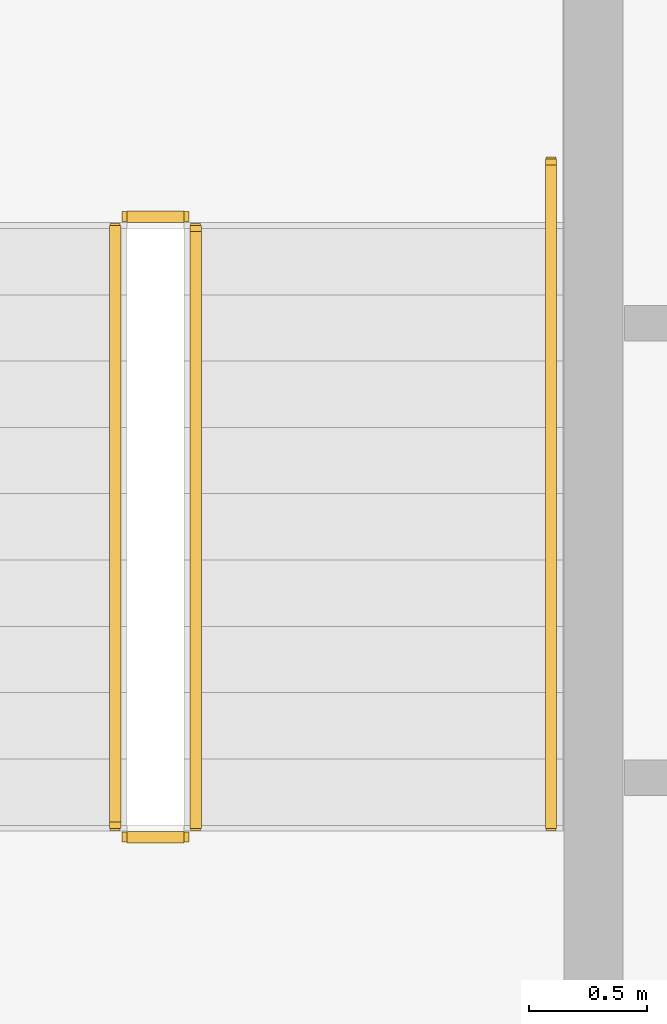
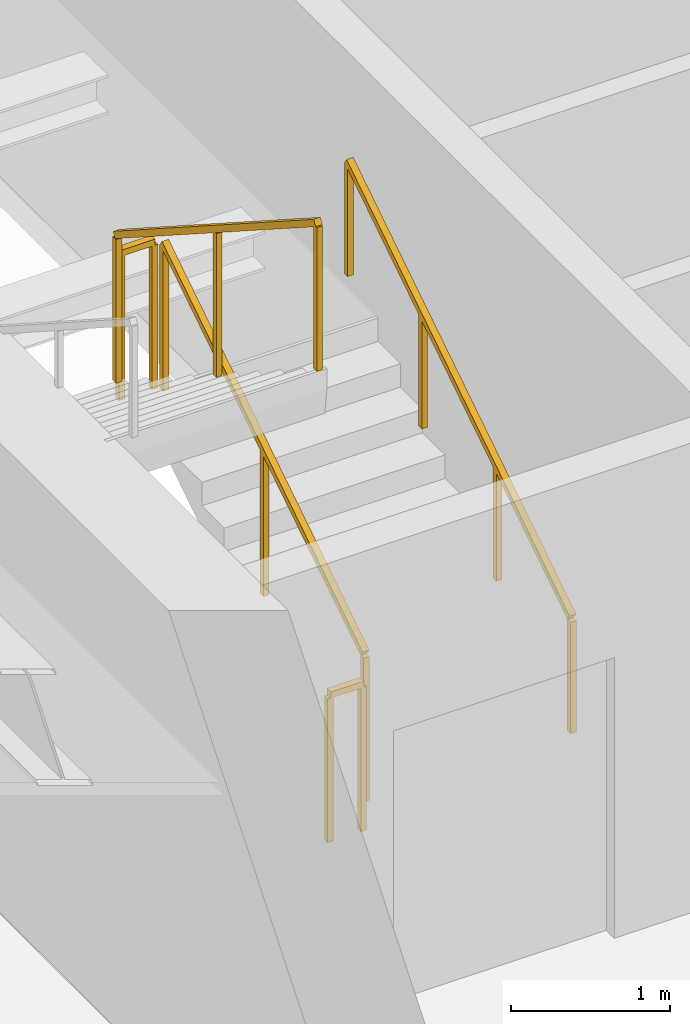
# One storey, part 25 of 28: 5 railings.
"""IFC4 building model written with IfcOpenShell, lengths in metres."""

import ifcopenshell
import ifcopenshell.guid

model = None  # the IFC model being written
_history = None  # IfcOwnerHistory: only IFC2X3 demands one
_inside = {}  # id of a spatial element -> (the spatial element, [elements in it])
_under = {}  # id of a project, library or spatial element -> (it, [spatial elements below it])
_declared = {}  # id of a project -> (the project, [libraries it declares])
_typed = {}  # id of a type object -> (the type object, [elements of that type])
_made_of = {}  # id of a material, layer set ... -> (it, [elements and type objects made of it])


def new_model(schema):
    """Start an empty IFC model of exactly this schema.

    Asked for "IFC4X3", IfcOpenShell would pick the latest addendum, in which some entities
    have other attributes; the version numbers below select the first issue.
    IFC2X3 requires an IfcOwnerHistory on every rooted entity: one is made here for all.
    """
    global model, _history
    if schema == "IFC4X3":
        model = ifcopenshell.file(schema_version=(4, 3, 0, 0))
    else:
        model = ifcopenshell.file(schema=schema)
    _inside.clear()
    _under.clear()
    _declared.clear()
    _typed.clear()
    _made_of.clear()
    _history = None
    if model.schema == "IFC2X3":
        org = make("IfcOrganization", Name="unknown")
        user = make(
            "IfcPersonAndOrganization",
            ThePerson=make("IfcPerson", FamilyName="unknown"),
            TheOrganization=org,
        )
        app = make(
            "IfcApplication",
            ApplicationDeveloper=org,
            Version="unknown",
            ApplicationFullName="unknown",
            ApplicationIdentifier="unknown",
        )
        _history = make(
            "IfcOwnerHistory",
            OwningUser=user,
            OwningApplication=app,
            ChangeAction="ADDED",
            CreationDate=0,
        )
    return model


def make(cls, **values):
    """One entity of the class cls with the attributes given. An attribute that is None is left unset."""
    return model.create_entity(
        cls, **{name: value for name, value in values.items() if value is not None}
    )


def rooted(cls, **values):
    """An entity with a GlobalId (a new one), such as an element, a storey or a relation."""
    return make(cls, GlobalId=ifcopenshell.guid.new(), OwnerHistory=_history, **values)


def si_unit(unit_type, name, prefix=None):
    """IfcSIUnit, for example si_unit("LENGTHUNIT", "METRE", prefix="MILLI")."""
    return make("IfcSIUnit", UnitType=unit_type, Prefix=prefix, Name=name)


def assignment(units):
    """IfcUnitAssignment: the units of a project."""
    return None if units is None else make("IfcUnitAssignment", Units=units)


def point(xyz):
    """IfcCartesianPoint."""
    return None if xyz is None else make("IfcCartesianPoint", Coordinates=xyz)


def direction(xyz):
    """IfcDirection."""
    return None if xyz is None else make("IfcDirection", DirectionRatios=xyz)


def frame(location, z_axis=None, x_axis=None):
    """IfcAxis2Placement3D, a coordinate frame: its origin and axes. An axis left out is left unset."""
    return make(
        "IfcAxis2Placement3D",
        Location=point(location),
        Axis=direction(z_axis),
        RefDirection=direction(x_axis),
    )


def frame_2d(location, x_axis=None):
    """IfcAxis2Placement2D, a coordinate frame in the plane: its origin and x axis."""
    return make(
        "IfcAxis2Placement2D", Location=point(location), RefDirection=direction(x_axis)
    )


def origin():
    """The frame at (0, 0, 0) with its axes left unset."""
    return frame((0.0, 0.0, 0.0))


def origin_2d():
    """The frame at (0, 0) in the plane with its x axis left unset."""
    return frame_2d((0.0, 0.0))


def place(relative_to, where):
    """IfcLocalPlacement: puts the frame where relative to a parent placement (None: the world)."""
    return make(
        "IfcLocalPlacement", PlacementRelTo=relative_to, RelativePlacement=where
    )


def context(
    kind, dimensions, precision=None, world=None, true_north=None, identifier=None
):
    """IfcGeometricRepresentationContext, for example the 3D "Model" context."""
    return make(
        "IfcGeometricRepresentationContext",
        ContextIdentifier=identifier,
        ContextType=kind,
        CoordinateSpaceDimension=dimensions,
        Precision=precision,
        WorldCoordinateSystem=world,
        TrueNorth=true_north,
    )


def subcontext(parent, identifier, kind, view, scale=None):
    """IfcGeometricRepresentationSubContext, for example "Body" below "Model"."""
    return make(
        "IfcGeometricRepresentationSubContext",
        ContextIdentifier=identifier,
        ContextType=kind,
        ParentContext=parent,
        TargetScale=scale,
        TargetView=view,
    )


def project(units=None, contexts=None):
    """IfcProject with its units and contexts."""
    return rooted(
        "IfcProject",
        Name="project",
        RepresentationContexts=contexts,
        UnitsInContext=assignment(units),
    )


def spatial(cls, under=None, at=None, **own):
    """A site, building, storey or space (cls), placed at a placement, below another one or the project."""
    s = rooted(cls, ObjectPlacement=at, **own)
    if under is not None:
        _under.setdefault(under.id(), (under, []))[1].append(s)
    return s


def profile(cls, at=None, kind="AREA", **sizes):
    """A parametric profile (cls). Its sizes go by their IFC names, for example OverallWidth=200.0."""
    return make(cls, ProfileType=kind, Position=at, **sizes)


def rectangle(**sizes):
    """IfcRectangleProfileDef."""
    return profile("IfcRectangleProfileDef", **sizes)


def extrude(swept, where, along, depth):
    """IfcExtrudedAreaSolid: the profile swept, set in the frame where, extruded along a direction by depth."""
    return make(
        "IfcExtrudedAreaSolid",
        SweptArea=swept,
        Position=where,
        ExtrudedDirection=direction(along),
        Depth=depth,
    )


def shape(context_of_items, identifier, shape_type, items):
    """IfcShapeRepresentation: the items that make up one representation, for example the "Body"."""
    return make(
        "IfcShapeRepresentation",
        ContextOfItems=context_of_items,
        RepresentationIdentifier=identifier,
        RepresentationType=shape_type,
        Items=items,
    )


def material(Name=None, Category=None):
    """IfcMaterial."""
    return make("IfcMaterial", Name=Name, Category=Category)


def made_of(thing, what):
    """Note that an element or type object is made of a material, layer set ...; save() writes the relation."""
    if what is not None:
        _made_of.setdefault(what.id(), (what, []))[1].append(thing)
    return thing


def type_object(cls, material=None, **own):
    """A type object (cls), such as IfcWallType, which elements share."""
    return made_of(rooted(cls, **own), material)


def element(
    cls,
    number,
    at=None,
    inside=None,
    cuts=None,
    type_object=None,
    material=None,
    context=None,
    identifier="Body",
    shape_type=None,
    held_by="IfcProductDefinitionShape",
    body=None,
    shapes=None,
    **own,
):
    """One element of the class cls, such as IfcWall. Its Tag is "e" and its number.

    at: its placement. inside: the storey or other place that contains it. cuts: it is an
    opening in that element (IfcRelVoidsElement). A single representation is given by context,
    identifier, shape_type and body (its items); several are given by shapes. held_by: the class
    of the entity that holds the representations. save() writes the other relations.
    """
    e = rooted(cls, Tag="e%d" % number, ObjectPlacement=at, **own)
    if body is not None:
        shapes = [shape(context, identifier, shape_type, body)]
    if shapes is not None:
        e.Representation = make(held_by, Representations=shapes)
    if inside is not None:
        _inside.setdefault(inside.id(), (inside, []))[1].append(e)
    if cuts is not None:
        rooted(
            "IfcRelVoidsElement", RelatingBuildingElement=cuts, RelatedOpeningElement=e
        )
    if type_object is not None:
        _typed.setdefault(type_object.id(), (type_object, []))[1].append(e)
    return made_of(e, material)


def aggregate(whole, parts):
    """IfcRelAggregates: a whole, such as a stair, and the parts it consists of."""
    return rooted("IfcRelAggregates", RelatingObject=whole, RelatedObjects=parts)


def save(model, path):
    """Write the relations noted so far, then the file.

    IfcRelAggregates (storeys below a building ...), IfcRelContainedInSpatialStructure (elements
    in a storey), IfcRelDefinesByType, IfcRelAssociatesMaterial and IfcRelDeclares: one each for
    every whole, place, type object, material and project.
    """
    for whole, parts in _under.values():
        aggregate(whole, parts)
    for where, things in _inside.values():
        rooted(
            "IfcRelContainedInSpatialStructure",
            RelatedElements=things,
            RelatingStructure=where,
        )
    for kind, things in _typed.values():
        rooted("IfcRelDefinesByType", RelatedObjects=things, RelatingType=kind)
    for what, things in _made_of.values():
        rooted("IfcRelAssociatesMaterial", RelatedObjects=things, RelatingMaterial=what)
    for by, libraries in _declared.values():
        rooted("IfcRelDeclares", RelatingContext=by, RelatedDefinitions=libraries)
    model.write(path)


model = new_model("IFC4")

# Units and contexts
model_context = context("Model", 3, precision=1e-05, world=origin(), true_north=direction((0.0, 1.0)))
body_context = subcontext(model_context, "Body", "Model", "MODEL_VIEW")
ifc_project = project(units=[si_unit("LENGTHUNIT", "METRE"), si_unit("AREAUNIT", "SQUARE_METRE"), si_unit("VOLUMEUNIT", "CUBIC_METRE"), si_unit("PLANEANGLEUNIT", "RADIAN"), si_unit("MASSUNIT", "GRAM", prefix="KILO")], contexts=[model_context])

# Site, building, storey
site_placement = place(None, origin())
site = spatial("IfcSite", under=ifc_project, at=site_placement, CompositionType="ELEMENT")
building_placement = place(site_placement, origin())
building = spatial("IfcBuilding", under=site, at=building_placement, Name="Sumidabori Civic Tower", CompositionType="ELEMENT")
storey_placement = place(building_placement, frame((0.0, 0.0, 185.60009765625)))
storey = spatial("IfcBuildingStorey", under=building, at=storey_placement, Name="L48", CompositionType="ELEMENT", Elevation=185.60009765625)

# Railings
ifc_material_1 = material(Name="Stainless Steel Hairline Finish", Category="steel")
railing_type_1 = type_object("IfcRailingType", Name="RL-HANDRAIL", PredefinedType="HANDRAIL", material=ifc_material_1)
railing_1_placement = place(storey_placement, frame((-11.949951171875, 16.0, 0.179931640625)))
element("IfcRailing", 1, at=railing_1_placement, inside=storey, type_object=railing_type_1, Name="L48 ST-1 stair handrail 1", PredefinedType="HANDRAIL", context=body_context, shape_type="SweptSolid", body=[
    extrude(rectangle(XDim=0.048095703125, YDim=0.048095703125, at=origin_2d()), frame((0.0, 0.0, 0.8759765625), z_axis=(0.0, 0.840675598268, 0.541539046124), x_axis=(-1.0, 0.0, 0.0)), (0.0, 0.0, 1.0), 3.330810546875),
    extrude(rectangle(XDim=0.0419921875, YDim=0.0419921875, at=origin_2d()), origin(), (0.0, 0.0, 1.0), 0.851806640625),
    extrude(rectangle(XDim=0.0419921875, YDim=0.0419921875, at=origin_2d()), frame((0.0, 0.933349609375, 0.601318359375)), (0.0, 0.0, 1.0), 0.851806640625),
    extrude(rectangle(XDim=0.0419921875, YDim=0.0419921875, at=origin_2d()), frame((0.0, 1.86669921875, 1.202392578125)), (0.0, 0.0, 1.0), 0.851806640625),
    extrude(rectangle(XDim=0.0419921875, YDim=0.0419921875, at=origin_2d()), frame((0.0, 2.800048828125, 1.8037109375)), (0.0, 0.0, 1.0), 0.851806640625),
])
ifc_material_2 = material(Name="Steel SN490", Category="steel")
railing_type_2 = type_object("IfcRailingType", Name="RL-STAIR-GUARD", PredefinedType="GUARDRAIL", material=ifc_material_2)
railing_2_placement = place(storey_placement, frame((-13.449951171875, 16.0, 0.179931640625)))
element("IfcRailing", 2, at=railing_2_placement, inside=storey, type_object=railing_type_2, Name="L48 ST-1 stair guard 1", PredefinedType="GUARDRAIL", context=body_context, shape_type="SweptSolid", body=[
    extrude(rectangle(XDim=0.048095703125, YDim=0.048095703125, at=origin_2d()), frame((0.0, 0.0, 1.1259765625), z_axis=(0.0, 0.841199657755, 0.540724639528), x_axis=(-1.0, 0.0, 0.0)), (0.0, 0.0, 1.0), 2.995849609375),
    extrude(rectangle(XDim=0.0419921875, YDim=0.0419921875, at=origin_2d()), origin(), (0.0, 0.0, 1.0), 1.101806640625),
    extrude(rectangle(XDim=0.0419921875, YDim=0.0419921875, at=origin_2d()), frame((0.0, 1.260009765625, 0.81005859375)), (0.0, 0.0, 1.0), 1.101806640625),
    extrude(rectangle(XDim=0.0419921875, YDim=0.0419921875, at=origin_2d()), frame((0.0, 2.52001953125, 1.619873046875)), (0.0, 0.0, 1.0), 1.101806640625),
])
railing_3_placement = place(storey_placement, frame((-13.5, 18.570068359375, 1.7998046875)))
element("IfcRailing", 3, at=railing_3_placement, inside=storey, type_object=railing_type_2, Name="L48 ST-1 stair guard 2", PredefinedType="GUARDRAIL", context=body_context, shape_type="SweptSolid", body=[
    extrude(rectangle(XDim=0.048095703125, YDim=0.048095703125, at=origin_2d()), frame((0.0, 0.0, 1.1259765625), z_axis=(-1.0, 0.0, 0.0), x_axis=(0.0, -1.0, 0.0)), (0.0, 0.0, 1.0), 0.239990234375),
    extrude(rectangle(XDim=0.0419921875, YDim=0.0419921875, at=origin_2d()), origin(), (0.0, 0.0, 1.0), 1.101806640625),
    extrude(rectangle(XDim=0.0419921875, YDim=0.0419921875, at=origin_2d()), frame((-0.239990234375, 0.0, 0.0)), (0.0, 0.0, 1.0), 1.101806640625),
])
railing_4_placement = place(storey_placement, frame((-13.7900390625, 18.52001953125, 1.97998046875)))
element("IfcRailing", 4, at=railing_4_placement, inside=storey, type_object=railing_type_2, Name="L48 ST-1 stair guard 3", PredefinedType="GUARDRAIL", context=body_context, shape_type="SweptSolid", body=[
    extrude(rectangle(XDim=0.048095703125, YDim=0.048095703125, at=origin_2d()), frame((0.0, 0.0, 1.1259765625), z_axis=(0.0, -0.841199657755, 0.540724639528), x_axis=(1.0, 0.0, 0.0)), (0.0, 0.0, 1.0), 2.995849609375),
    extrude(rectangle(XDim=0.0419921875, YDim=0.0419921875, at=origin_2d()), origin(), (0.0, 0.0, 1.0), 1.101806640625),
    extrude(rectangle(XDim=0.0419921875, YDim=0.0419921875, at=origin_2d()), frame((0.0, -1.260009765625, 0.81005859375)), (0.0, 0.0, 1.0), 1.101806640625),
    extrude(rectangle(XDim=0.0419921875, YDim=0.0419921875, at=origin_2d()), frame((0.0, -2.52001953125, 1.619873046875)), (0.0, 0.0, 1.0), 1.101806640625),
])
railing_5_placement = place(storey_placement, frame((-13.5, 15.949951171875, 0.0)))
element("IfcRailing", 5, at=railing_5_placement, inside=storey, type_object=railing_type_2, Name="L48 ST-1 stair guard 4", PredefinedType="GUARDRAIL", context=body_context, shape_type="SweptSolid", body=[
    extrude(rectangle(XDim=0.048095703125, YDim=0.048095703125, at=origin_2d()), frame((0.0, 0.0, 1.1259765625), z_axis=(-1.0, 0.0, 0.0), x_axis=(0.0, -1.0, 0.0)), (0.0, 0.0, 1.0), 0.239990234375),
    extrude(rectangle(XDim=0.0419921875, YDim=0.0419921875, at=origin_2d()), origin(), (0.0, 0.0, 1.0), 1.101806640625),
    extrude(rectangle(XDim=0.0419921875, YDim=0.0419921875, at=origin_2d()), frame((-0.239990234375, 0.0, 0.0)), (0.0, 0.0, 1.0), 1.101806640625),
])

save(model, "model.ifc")
